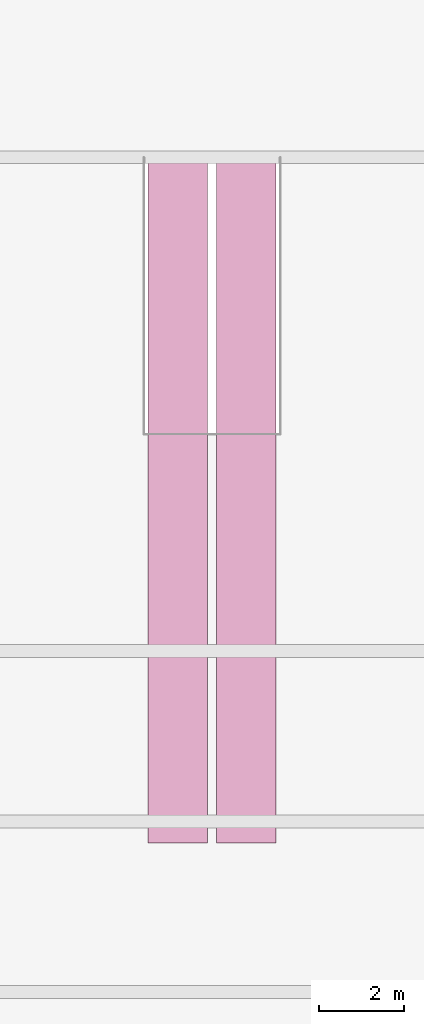
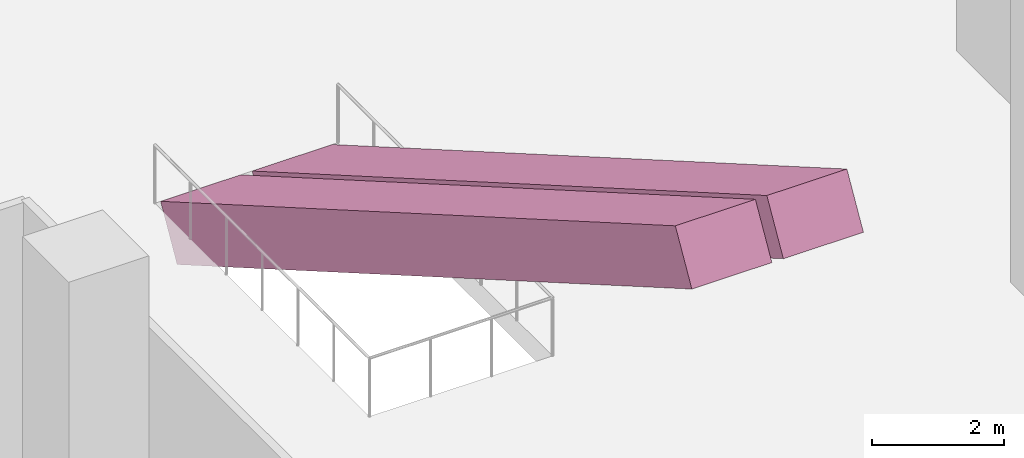
# One storey, part 27 of 27: 2 transport elements.
"""IFC4 building model written with IfcOpenShell, lengths in metres."""

from ifc_helpers import new_model, si_unit, direction, frame, origin, place, context, subcontext, project, spatial, polyline, outline, extrude, material, type_object, element, save


model = new_model("IFC4")

# Units and contexts
model_context = context("Model", 3, precision=1e-05, world=origin(), true_north=direction((0.0, 1.0)))
body_context = subcontext(model_context, "Body", "Model", "MODEL_VIEW")
ifc_project = project(units=[si_unit("LENGTHUNIT", "METRE"), si_unit("AREAUNIT", "SQUARE_METRE"), si_unit("VOLUMEUNIT", "CUBIC_METRE"), si_unit("PLANEANGLEUNIT", "RADIAN"), si_unit("MASSUNIT", "GRAM", prefix="KILO")], contexts=[model_context])

# Site, building, storey
site_placement = place(None, origin())
site = spatial("IfcSite", under=ifc_project, at=site_placement, CompositionType="ELEMENT")
building_placement = place(site_placement, origin())
building = spatial("IfcBuilding", under=site, at=building_placement, Name="Tel Ilan Convention Tower", CompositionType="ELEMENT")
storey_placement = place(building_placement, frame((0.0, 0.0, 9.0)))
storey = spatial("IfcBuildingStorey", under=building, at=storey_placement, Name="L01", CompositionType="ELEMENT", Elevation=9.0)

# Transport elements
ifc_material = material(Name="Stainless Steel Grade 316", Category="steel")
transport_element_type = type_object("IfcTransportElementType", Name="Escalator 1000 mm 30 degree", PredefinedType="ESCALATOR", material=ifc_material)
for number, where, z_axis, x_axis, name in (
    (1, (-1.5, -36.41162109375, 0.0), (0.0, 0.5000018851, 0.866024315419), (1.0, 0.0, 0.0), "Escalator L01 to L02 up"),
    (2, (0.10009765625, -36.41162109375, 0.0), (0.0, 0.5000018851, 0.866024315419), (1.0, 0.0, 0.0), "Escalator L01 to L02 down"),
):
    element("IfcTransportElement", number, at=place(storey_placement, frame(where, z_axis=z_axis, x_axis=x_axis)), inside=storey, type_object=transport_element_type, Name=name, PredefinedType="ESCALATOR", context=body_context, shape_type="SweptSolid", body=[
        extrude(outline(polyline([(0.0, 0.0), (1.39990234375, 0.0), (1.39990234375, -17.999932136672626), (0.0, -17.999932136672626), (0.0, 0.0)])), origin(), (0.0, 0.0, -1.0), 1.0),
    ])

save(model, "model.ifc")
